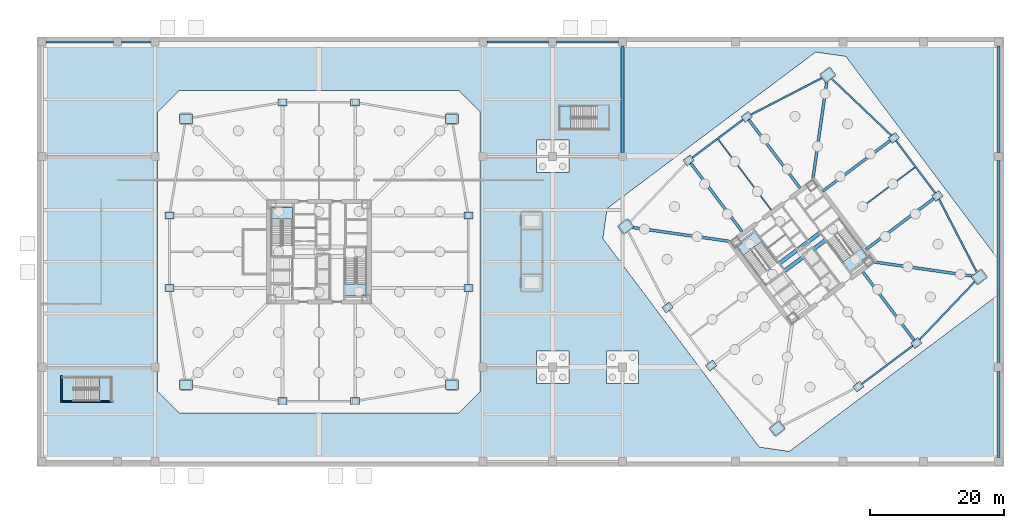
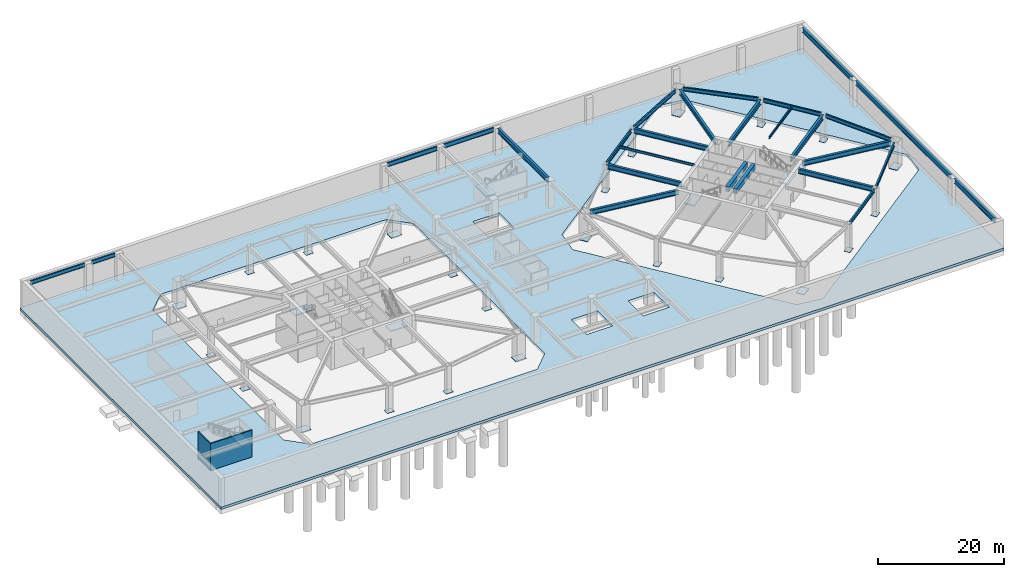
# One storey, part 7 of 19: 27 beams, 24 plates, 7 slabs, 2 walls, 6 elements without a shape of their own.
"""IFC4 building model written with IfcOpenShell, lengths in metres."""

from ifc_helpers import new_model, si_unit, direction, frame, frame_2d, origin, origin_2d, place, context, subcontext, project, spatial, polyline, rectangle, i_section, outline, extrude, material, layer, layer_set, material_profile, profile_set, type_object, element, aggregate, save


model = new_model("IFC4")

# Units and contexts
model_context = context("Model", 3, precision=1e-05, world=origin(), true_north=direction((0.0, 1.0)))
body_context = subcontext(model_context, "Body", "Model", "MODEL_VIEW")
ifc_project = project(units=[si_unit("LENGTHUNIT", "METRE"), si_unit("AREAUNIT", "SQUARE_METRE"), si_unit("VOLUMEUNIT", "CUBIC_METRE"), si_unit("PLANEANGLEUNIT", "RADIAN"), si_unit("MASSUNIT", "GRAM", prefix="KILO")], contexts=[model_context])

# Site, building, storey
site_placement = place(None, origin())
site = spatial("IfcSite", under=ifc_project, at=site_placement, CompositionType="ELEMENT")
building_placement = place(site_placement, origin())
building = spatial("IfcBuilding", under=site, at=building_placement, Name="Tashvorn Skyway Center", CompositionType="ELEMENT")
storey_placement = place(building_placement, frame((0.0, 0.0, -11.0)))
storey = spatial("IfcBuildingStorey", under=building, at=storey_placement, Name="B2", CompositionType="ELEMENT", Elevation=-11.0)

# Beams
ifc_material_1 = material(Name="Steel ASTM A992 Grade 50", Category="steel")
ifc_material_profile_1 = material_profile(ifc_material_1, i_section(OverallWidth=0.26708984375, OverallDepth=0.779052734375, WebThickness=0.0166015625, FlangeThickness=0.030029296875, at=origin_2d()), Name="W30X148")
ifc_profile_set_1 = profile_set([ifc_material_profile_1], Name="Steel ASTM A992 Grade 50")
beam_type_1 = type_object("IfcBeamType", Name="BM-BEAM-W30X148", PredefinedType="BEAM", material=ifc_profile_set_1)
beam_1_placement = place(storey_placement, frame((1.39501953125, 63.199951171875, 4.8505859375), z_axis=(1.0, 0.0, 0.0), x_axis=(0.0, 1.0, 0.0)))
element("IfcBeam", 1, at=beam_1_placement, inside=storey, type_object=beam_type_1, Name="B2 West Edge Girder A 09", PredefinedType="BEAM", context=body_context, shape_type="SweptSolid", body=[
    extrude(i_section(OverallWidth=0.26708984375, OverallDepth=0.779052734375, WebThickness=0.0166015625, FlangeThickness=0.030029296875, at=origin_2d()), origin(), (0.0, 0.0, 1.0), 10.010009765625),
])
beam_2_placement = place(storey_placement, frame((12.594970703125, 63.199951171875, 4.8505859375), z_axis=(1.0, 0.0, 0.0), x_axis=(0.0, 1.0, 0.0)))
element("IfcBeam", 2, at=beam_2_placement, inside=storey, type_object=beam_type_1, Name="B2 West Edge Girder B 09", PredefinedType="BEAM", context=body_context, shape_type="SweptSolid", body=[
    extrude(i_section(OverallWidth=0.26708984375, OverallDepth=0.779052734375, WebThickness=0.0166015625, FlangeThickness=0.030029296875, at=origin_2d()), origin(), (0.0, 0.0, 1.0), 4.409912109375),
])
ifc_material_profile_2 = material_profile(ifc_material_1, i_section(OverallWidth=0.2919921875, OverallDepth=0.85888671875, WebThickness=0.01708984375, FlangeThickness=0.031005859375, at=origin_2d()), Name="W33X169")
ifc_profile_set_2 = profile_set([ifc_material_profile_2], Name="Steel ASTM A992 Grade 50")
beam_type_2 = type_object("IfcBeamType", Name="BM-BEAM-W33X169", PredefinedType="BEAM", material=ifc_profile_set_2)
for number, where, z_axis, x_axis, name in (
    (3, (66.9951171875, 63.199951171875, 4.810546875), (1.0, 0.0, 0.0), (0.0, 1.0, 0.0), "B2 Central Podium Girder A 09"),
    (4, (77.39501953125, 63.199951171875, 4.810546875), (1.0, 0.0, 0.0), (0.0, 1.0, 0.0), "B2 Central Podium Girder B 09"),
):
    element("IfcBeam", number, at=place(storey_placement, frame(where, z_axis=z_axis, x_axis=x_axis)), inside=storey, type_object=beam_type_2, Name=name, PredefinedType="BEAM", context=body_context, shape_type="SweptSolid", body=[
        extrude(i_section(OverallWidth=0.2919921875, OverallDepth=0.85888671875, WebThickness=0.01708984375, FlangeThickness=0.031005859375, at=origin_2d()), origin(), (0.0, 0.0, 1.0), 9.2099609375),
    ])
ifc_material_2 = material(Name="Steel ASTM A913 Grade 65", Category="steel")
ifc_material_profile_3 = material_profile(ifc_material_2, i_section(OverallWidth=0.4189453125, OverallDepth=0.927001953125, WebThickness=0.019287109375, FlangeThickness=0.031982421875, at=origin_2d()), Name="W36X231")
ifc_profile_set_3 = profile_set([ifc_material_profile_3], Name="Steel ASTM A913 Grade 65")
beam_type_3 = type_object("IfcBeamType", Name="BM-BEAM-W36X231", PredefinedType="BEAM", material=ifc_profile_set_3)
for number, where, z_axis, x_axis, name in (
    (5, (139.532958984375, 28.3525390625, 4.776611328125), (-0.989950458816, 0.141414599991, 0.0), (-0.141414599991, -0.989950458816, 0.0), "Tower 2 B2 Primary Floor Girder MC-SE"),
    (6, (117.6474609375, 57.532958984375, 4.776611328125), (-0.141414599991, -0.989950458816, 0.0), (0.989950458816, -0.141414599991, 0.0), "Tower 2 B2 Primary Floor Girder MC-NE"),
    (7, (88.467041015625, 35.6474609375, 4.776611328125), (0.989950458816, -0.141414599991, 0.0), (0.141414599991, 0.989950458816, 0.0), "Tower 2 B2 Primary Floor Girder MC-NW"),
):
    element("IfcBeam", number, at=place(storey_placement, frame(where, z_axis=z_axis, x_axis=x_axis)), inside=storey, type_object=beam_type_3, Name=name, PredefinedType="BEAM", context=body_context, shape_type="SweptSolid", body=[
        extrude(i_section(OverallWidth=0.4189453125, OverallDepth=0.927001953125, WebThickness=0.019287109375, FlangeThickness=0.031982421875, at=origin_2d()), origin(), (0.0, 0.0, 1.0), 15.177001953125),
    ])
beam_3_placement = place(storey_placement, frame((130.697998046875, 18.736083984375, 4.776611328125), z_axis=(-0.599996960112, 0.800002279907, 0.0), x_axis=(-0.800002279907, -0.599996960112, 0.0)))
element("IfcBeam", 8, at=beam_3_placement, inside=storey, type_object=beam_type_3, Name="Tower 2 B2 Primary Floor Girder FC-S2", PredefinedType="BEAM", context=body_context, shape_type="SweptSolid", body=[
    extrude(i_section(OverallWidth=0.4189453125, OverallDepth=0.927001953125, WebThickness=0.019287109375, FlangeThickness=0.031982421875, at=origin_2d()), origin(), (0.0, 0.0, 1.0), 12.85009765625),
])
beam_4_placement = place(storey_placement, frame((133.743896484375, 40.05810546875, 4.776611328125), z_axis=(-0.799986320265, -0.600018239213, 0.0), x_axis=(0.600018239213, -0.799986320265, 0.0)))
element("IfcBeam", 9, at=beam_4_placement, inside=storey, type_object=beam_type_3, Name="Tower 2 B2 Primary Floor Girder FC-E1", PredefinedType="BEAM", context=body_context, shape_type="SweptSolid", body=[
    extrude(i_section(OverallWidth=0.4189453125, OverallDepth=0.927001953125, WebThickness=0.019287109375, FlangeThickness=0.031982421875, at=origin_2d()), origin(), (0.0, 0.0, 1.0), 12.849853515625),
])
beam_5_placement = place(storey_placement, frame((127.263916015625, 48.697998046875, 4.776611328125), z_axis=(-0.800002279907, -0.599996960112, 0.0), x_axis=(0.599996960112, -0.800002279907, 0.0)))
element("IfcBeam", 10, at=beam_5_placement, inside=storey, type_object=beam_type_3, Name="Tower 2 B2 Primary Floor Girder FC-E2", PredefinedType="BEAM", context=body_context, shape_type="SweptSolid", body=[
    extrude(i_section(OverallWidth=0.4189453125, OverallDepth=0.927001953125, WebThickness=0.019287109375, FlangeThickness=0.031982421875, at=origin_2d()), origin(), (0.0, 0.0, 1.0), 12.85009765625),
])
beam_6_placement = place(storey_placement, frame((105.94189453125, 51.743896484375, 4.776611328125), z_axis=(0.600018239213, -0.799986320265, 0.0), x_axis=(0.799986320265, 0.600018239213, 0.0)))
element("IfcBeam", 11, at=beam_6_placement, inside=storey, type_object=beam_type_3, Name="Tower 2 B2 Primary Floor Girder FC-N1", PredefinedType="BEAM", context=body_context, shape_type="SweptSolid", body=[
    extrude(i_section(OverallWidth=0.4189453125, OverallDepth=0.927001953125, WebThickness=0.019287109375, FlangeThickness=0.031982421875, at=origin_2d()), origin(), (0.0, 0.0, 1.0), 12.849853515625),
])
beam_7_placement = place(storey_placement, frame((97.302001953125, 45.263916015625, 4.776611328125), z_axis=(0.599996960112, -0.800002279907, 0.0), x_axis=(0.800002279907, 0.599996960112, 0.0)))
element("IfcBeam", 12, at=beam_7_placement, inside=storey, type_object=beam_type_3, Name="Tower 2 B2 Primary Floor Girder FC-N2", PredefinedType="BEAM", context=body_context, shape_type="SweptSolid", body=[
    extrude(i_section(OverallWidth=0.4189453125, OverallDepth=0.927001953125, WebThickness=0.019287109375, FlangeThickness=0.031982421875, at=origin_2d()), origin(), (0.0, 0.0, 1.0), 12.85009765625),
])
beam_8_placement = place(storey_placement, frame((87.199951171875, 46.794921875, 4.776611328125), z_axis=(0.0, 1.0, 0.0), x_axis=(-1.0, 0.0, 0.0)))
element("IfcBeam", 13, at=beam_8_placement, inside=storey, type_object=beam_type_3, Name="B2 North-South Podium Girder 05-N", PredefinedType="BEAM", context=body_context, shape_type="SweptSolid", body=[
    extrude(i_section(OverallWidth=0.4189453125, OverallDepth=0.927001953125, WebThickness=0.019287109375, FlangeThickness=0.031982421875, at=origin_2d()), origin(), (0.0, 0.0, 1.0), 15.81005859375),
])
beam_9_placement = place(storey_placement, frame((143.199951171875, 1.39501953125, 4.776611328125), z_axis=(0.0, 1.0, 0.0), x_axis=(-1.0, 0.0, 0.0)))
element("IfcBeam", 14, at=beam_9_placement, inside=storey, type_object=beam_type_3, Name="B2 North-South Podium Girder 06-S", PredefinedType="BEAM", context=body_context, shape_type="SweptSolid", body=[
    extrude(i_section(OverallWidth=0.4189453125, OverallDepth=0.927001953125, WebThickness=0.019287109375, FlangeThickness=0.031982421875, at=origin_2d()), origin(), (0.0, 0.0, 1.0), 12.81005859375),
])
beam_10_placement = place(storey_placement, frame((143.199951171875, 15.39501953125, 4.776611328125), z_axis=(0.0, 1.0, 0.0), x_axis=(-1.0, 0.0, 0.0)))
element("IfcBeam", 15, at=beam_10_placement, inside=storey, type_object=beam_type_3, Name="B2 North-South Podium Girder 06-M", PredefinedType="BEAM", context=body_context, shape_type="SweptSolid", body=[
    extrude(i_section(OverallWidth=0.4189453125, OverallDepth=0.927001953125, WebThickness=0.019287109375, FlangeThickness=0.031982421875, at=origin_2d()), origin(), (0.0, 0.0, 1.0), 30.2099609375),
])
beam_11_placement = place(storey_placement, frame((143.199951171875, 46.794921875, 4.776611328125), z_axis=(0.0, 1.0, 0.0), x_axis=(-1.0, 0.0, 0.0)))
element("IfcBeam", 16, at=beam_11_placement, inside=storey, type_object=beam_type_3, Name="B2 North-South Podium Girder 06-N", PredefinedType="BEAM", context=body_context, shape_type="SweptSolid", body=[
    extrude(i_section(OverallWidth=0.4189453125, OverallDepth=0.927001953125, WebThickness=0.019287109375, FlangeThickness=0.031982421875, at=origin_2d()), origin(), (0.0, 0.0, 1.0), 15.81005859375),
])
ifc_material_profile_4 = material_profile(ifc_material_1, i_section(OverallWidth=0.19091796875, OverallDepth=0.4599609375, WebThickness=0.010009765625, FlangeThickness=0.01611328125, at=origin_2d()), Name="W18X55")
ifc_profile_set_4 = profile_set([ifc_material_profile_4], Name="Steel ASTM A992 Grade 50")
beam_type_4 = type_object("IfcBeamType", Name="BM-JOIST-W18X55", PredefinedType="JOIST", material=ifc_profile_set_4)
beam_12_placement = place(storey_placement, frame((109.325927734375, 38.23193359375, 5.010009765625), z_axis=(-0.600002972791, 0.799997770398, 0.0), x_axis=(-0.799997770398, -0.600002972791, 0.0)))
element("IfcBeam", 17, at=beam_12_placement, inside=storey, type_object=beam_type_4, Name="Tower 2 B2 Secondary Composite Joist JN", PredefinedType="JOIST", context=body_context, shape_type="SweptSolid", body=[
    extrude(i_section(OverallWidth=0.19091796875, OverallDepth=0.4599609375, WebThickness=0.010009765625, FlangeThickness=0.01611328125, at=origin_2d()), origin(), (0.0, 0.0, 1.0), 13.139892578125),
])
beam_13_placement = place(storey_placement, frame((123.3359375, 39.001953125, 5.010009765625), z_axis=(0.799990508532, 0.600012655082, 0.0), x_axis=(-0.600012655082, 0.799990508532, 0.0)))
element("IfcBeam", 18, at=beam_13_placement, inside=storey, type_object=beam_type_4, Name="Tower 2 B2 Secondary Composite Joist JE", PredefinedType="JOIST", context=body_context, shape_type="SweptSolid", body=[
    extrude(i_section(OverallWidth=0.19091796875, OverallDepth=0.4599609375, WebThickness=0.010009765625, FlangeThickness=0.01611328125, at=origin_2d()), origin(), (0.0, 0.0, 1.0), 9.260009765625),
])
ifc_material_3 = material(Name="Concrete C60/75", Category="concrete")
ifc_material_profile_5 = material_profile(ifc_material_3, rectangle(XDim=0.60009765625, YDim=0.949951171875, at=origin_2d()), Name="RCB600x950")
ifc_profile_set_5 = profile_set([ifc_material_profile_5], Name="Concrete C60/75")
beam_type_5 = type_object("IfcBeamType", Name="BM-LINTEL-RCB600x950", PredefinedType="LINTEL", material=ifc_profile_set_5)
for number, where, z_axis, x_axis, name in (
    (19, (110.552001953125, 30.263916015625, 4.764892578125), (0.8, 0.6, 0.0), (-0.6, 0.8, 0.0), "Tower 2 B2 Core Coupling Beam CN"),
    (20, (111.367919921875, 29.176025390625, 4.764892578125), (0.8, 0.6, 0.0), (-0.6, 0.8, 0.0), "Tower 2 B2 Core Coupling Beam CS"),
):
    element("IfcBeam", number, at=place(storey_placement, frame(where, z_axis=z_axis, x_axis=x_axis)), inside=storey, type_object=beam_type_5, Name=name, PredefinedType="LINTEL", context=body_context, shape_type="SweptSolid", body=[
        extrude(rectangle(XDim=0.60009765625, YDim=0.949951171875, at=origin_2d()), origin(), (0.0, 0.0, 1.0), 7.60009765625),
    ])
ifc_material_profile_6 = material_profile(ifc_material_1, i_section(OverallWidth=0.256103515625, OverallDepth=0.693115234375, WebThickness=0.014404296875, FlangeThickness=0.023681640625, at=origin_2d()), Name="W27X114")
ifc_profile_set_6 = profile_set([ifc_material_profile_6], Name="Steel ASTM A992 Grade 50")
beam_type_6 = type_object("IfcBeamType", Name="BM-SPANDREL-W27X114", PredefinedType="SPANDREL", material=ifc_profile_set_6)
beam_14_placement = place(storey_placement, frame((122.64599609375, 12.172119140625, 4.8935546875), z_axis=(0.800008824351, 0.599988234018, 0.0), x_axis=(-0.599988234018, 0.800008824351, 0.0)))
element("IfcBeam", 21, at=beam_14_placement, inside=storey, type_object=beam_type_6, Name="Tower 2 B2 Spandrel Beam 02", PredefinedType="SPANDREL", context=body_context, shape_type="SweptSolid", body=[
    extrude(i_section(OverallWidth=0.256103515625, OverallDepth=0.693115234375, WebThickness=0.014404296875, FlangeThickness=0.023681640625, at=origin_2d()), origin(), (0.0, 0.0, 1.0), 9.9599609375),
])
for number, where, z_axis, x_axis, name in (
    (22, (131.23974609375, 18.7041015625, 4.8935546875), (0.689589637236, 0.724200339835, 0.0), (-0.724200339835, 0.689589637236, 0.0), "Tower 2 B2 Spandrel Beam 03"),
    (23, (139.954833984375, 28.9462890625, 4.8935546875), (-0.459233413919, 0.888315637339, 0.0), (-0.888315637339, -0.459233413919, 0.0), "Tower 2 B2 Spandrel Beam 04"),
):
    element("IfcBeam", number, at=place(storey_placement, frame(where, z_axis=z_axis, x_axis=x_axis)), inside=storey, type_object=beam_type_6, Name=name, PredefinedType="SPANDREL", context=body_context, shape_type="SweptSolid", body=[
        extrude(i_section(OverallWidth=0.256103515625, OverallDepth=0.693115234375, WebThickness=0.014404296875, FlangeThickness=0.023681640625, at=origin_2d()), origin(), (0.0, 0.0, 1.0), 12.37255859375),
    ])
beam_15_placement = place(storey_placement, frame((133.827880859375, 40.64599609375, 4.8935546875), z_axis=(-0.599988234018, 0.800008824351, 0.0), x_axis=(-0.800008824351, -0.599988234018, 0.0)))
element("IfcBeam", 24, at=beam_15_placement, inside=storey, type_object=beam_type_6, Name="Tower 2 B2 Spandrel Beam 05", PredefinedType="SPANDREL", context=body_context, shape_type="SweptSolid", body=[
    extrude(i_section(OverallWidth=0.256103515625, OverallDepth=0.693115234375, WebThickness=0.014404296875, FlangeThickness=0.023681640625, at=origin_2d()), origin(), (0.0, 0.0, 1.0), 9.9599609375),
])
for number, where, z_axis, x_axis, name in (
    (25, (127.2958984375, 49.23974609375, 4.8935546875), (-0.724200339835, 0.689589637236, 0.0), (-0.689589637236, -0.724200339835, 0.0), "Tower 2 B2 Spandrel Beam 06"),
    (26, (117.0537109375, 57.954833984375, 4.8935546875), (-0.888315637339, -0.459233413919, 0.0), (0.459233413919, -0.888315637339, 0.0), "Tower 2 B2 Spandrel Beam 07"),
):
    element("IfcBeam", number, at=place(storey_placement, frame(where, z_axis=z_axis, x_axis=x_axis)), inside=storey, type_object=beam_type_6, Name=name, PredefinedType="SPANDREL", context=body_context, shape_type="SweptSolid", body=[
        extrude(i_section(OverallWidth=0.256103515625, OverallDepth=0.693115234375, WebThickness=0.014404296875, FlangeThickness=0.023681640625, at=origin_2d()), origin(), (0.0, 0.0, 1.0), 12.37255859375),
    ])
beam_16_placement = place(storey_placement, frame((105.35400390625, 51.827880859375, 4.8935546875), z_axis=(-0.800008824351, -0.599988234018, 0.0), x_axis=(0.599988234018, -0.800008824351, 0.0)))
element("IfcBeam", 27, at=beam_16_placement, inside=storey, type_object=beam_type_6, Name="Tower 2 B2 Spandrel Beam 08", PredefinedType="SPANDREL", context=body_context, shape_type="SweptSolid", body=[
    extrude(i_section(OverallWidth=0.256103515625, OverallDepth=0.693115234375, WebThickness=0.014404296875, FlangeThickness=0.023681640625, at=origin_2d()), origin(), (0.0, 0.0, 1.0), 9.9599609375),
])

# Plates
ifc_material_4 = material(Name="Steel ASTM A572 Grade 50", Category="steel")
ifc_layer_1 = layer(ifc_material_4, 0.06494140625)
ifc_layer_set_1 = layer_set([ifc_layer_1], Name="Steel ASTM A572 Grade 50")
plate_type_1 = type_object("IfcPlateType", Name="PLT-BASE-65", PredefinedType="SHEET", material=ifc_layer_set_1)
for number, where, z_axis, x_axis, name in (
    (28, (22.199951171875, 12.199951171875, 0.0), (0.0, 0.0, 1.0), (1.0, 0.0, 0.0), "Tower 1 MC-SW Base Plate"),
    (29, (61.800048828125, 12.199951171875, 0.0), (0.0, 0.0, 1.0), (1.0, 0.0, 0.0), "Tower 1 MC-SE Base Plate"),
    (30, (61.800048828125, 51.800048828125, 0.0), (0.0, 0.0, 1.0), (1.0, 0.0, 0.0), "Tower 1 MC-NE Base Plate"),
    (31, (22.199951171875, 51.800048828125, 0.0), (0.0, 0.0, 1.0), (1.0, 0.0, 0.0), "Tower 1 MC-NW Base Plate"),
    (32, (110.239990234375, 5.679931640625, 0.0), (0.0, 0.0, 1.0), (0.799999996291, 0.600000004945, 0.0), "Tower 2 MC-SW Base Plate"),
    (33, (140.320068359375, 28.239990234375, 0.0), (0.0, 0.0, 1.0), (0.799999996291, 0.600000004945, 0.0), "Tower 2 MC-SE Base Plate"),
    (34, (117.760009765625, 58.320068359375, 0.0), (0.0, 0.0, 1.0), (0.799999996291, 0.600000004945, 0.0), "Tower 2 MC-NE Base Plate"),
    (35, (87.679931640625, 35.760009765625, 0.0), (0.0, 0.0, 1.0), (0.799999996291, 0.600000004945, 0.0), "Tower 2 MC-NW Base Plate"),
):
    element("IfcPlate", number, at=place(storey_placement, frame(where, z_axis=z_axis, x_axis=x_axis)), inside=storey, type_object=plate_type_1, Name=name, PredefinedType="SHEET", context=body_context, shape_type="SweptSolid", body=[
        extrude(rectangle(XDim=1.949951171875, YDim=1.449951171875, at=origin_2d()), origin(), (0.0, 0.0, 1.0), 0.06494140625),
    ])
ifc_layer_2 = layer(ifc_material_4, 0.050048828125)
ifc_layer_set_2 = layer_set([ifc_layer_2], Name="Steel ASTM A572 Grade 50")
plate_type_2 = type_object("IfcPlateType", Name="PLT-ENDCAP-900", PredefinedType="USERDEFINED", material=ifc_layer_set_2)
for number, where, z_axis, x_axis, name in (
    (36, (36.60009765625, 9.75, -0.0400390625), (0.0, 0.0, 1.0), (1.0, 0.0, 0.0), "Tower 1 B2 FC-S1 Base End Plate"),
    (37, (47.39990234375, 9.75, -0.0400390625), (0.0, 0.0, 1.0), (1.0, 0.0, 0.0), "Tower 1 B2 FC-S2 Base End Plate"),
    (38, (64.25, 26.60009765625, -0.0400390625), (0.0, 0.0, 1.0), (1.0, 0.0, 0.0), "Tower 1 B2 FC-E1 Base End Plate"),
    (39, (64.25, 37.39990234375, -0.0400390625), (0.0, 0.0, 1.0), (1.0, 0.0, 0.0), "Tower 1 B2 FC-E2 Base End Plate"),
    (40, (47.39990234375, 54.25, -0.0400390625), (0.0, 0.0, 1.0), (1.0, 0.0, 0.0), "Tower 1 B2 FC-N1 Base End Plate"),
    (41, (36.60009765625, 54.25, -0.0400390625), (0.0, 0.0, 1.0), (1.0, 0.0, 0.0), "Tower 1 B2 FC-N2 Base End Plate"),
    (42, (19.75, 37.39990234375, -0.0400390625), (0.0, 0.0, 1.0), (1.0, 0.0, 0.0), "Tower 1 B2 FC-W1 Base End Plate"),
    (43, (19.75, 26.60009765625, -0.0400390625), (0.0, 0.0, 1.0), (1.0, 0.0, 0.0), "Tower 1 B2 FC-W2 Base End Plate"),
    (44, (122.31005859375, 11.919921875, -0.0400390625), (0.0, 0.0, 1.0), (0.799999996291, 0.600000004945, 0.0), "Tower 2 B2 FC-S1 Base End Plate"),
    (45, (130.949951171875, 18.39990234375, -0.0400390625), (0.0, 0.0, 1.0), (0.799999996291, 0.600000004945, 0.0), "Tower 2 B2 FC-S2 Base End Plate"),
    (46, (134.080078125, 40.31005859375, -0.0400390625), (0.0, 0.0, 1.0), (0.799999996291, 0.600000004945, 0.0), "Tower 2 B2 FC-E1 Base End Plate"),
    (47, (127.60009765625, 48.949951171875, -0.0400390625), (0.0, 0.0, 1.0), (0.799999996291, 0.600000004945, 0.0), "Tower 2 B2 FC-E2 Base End Plate"),
    (48, (105.68994140625, 52.080078125, -0.0400390625), (0.0, 0.0, 1.0), (0.799999996291, 0.600000004945, 0.0), "Tower 2 B2 FC-N1 Base End Plate"),
    (49, (97.050048828125, 45.60009765625, -0.0400390625), (0.0, 0.0, 1.0), (0.799999996291, 0.600000004945, 0.0), "Tower 2 B2 FC-N2 Base End Plate"),
    (50, (93.919921875, 23.68994140625, -0.0400390625), (0.0, 0.0, 1.0), (0.799999996291, 0.600000004945, 0.0), "Tower 2 B2 FC-W1 Base End Plate"),
    (51, (100.39990234375, 15.050048828125, -0.0400390625), (0.0, 0.0, 1.0), (0.799999996291, 0.600000004945, 0.0), "Tower 2 B2 FC-W2 Base End Plate"),
):
    element("IfcPlate", number, at=place(storey_placement, frame(where, z_axis=z_axis, x_axis=x_axis)), inside=storey, type_object=plate_type_2, Name=name, ObjectType="END PLATE", PredefinedType="USERDEFINED", context=body_context, shape_type="SweptSolid", body=[
        extrude(rectangle(XDim=1.35009765625, YDim=1.050048828125, at=origin_2d()), origin(), (0.0, 0.0, 1.0), 0.050048828125),
    ])

# Slab
ifc_material_5 = material(Name="Concrete C50/60", Category="concrete")
ifc_layer_3 = layer(ifc_material_5, 0.5)
ifc_layer_set_3 = layer_set([ifc_layer_3], Name="Concrete C50/60")
slab_type_1 = type_object("IfcSlabType", Name="SLAB-BASE-500", PredefinedType="BASESLAB", material=ifc_layer_set_3)
slab_1_placement = place(storey_placement, frame((0.0, 0.0, -0.5)))
element("IfcSlab", 52, at=slab_1_placement, inside=storey, type_object=slab_type_1, Name="B2 Transit Station Structural Base Slab", PredefinedType="BASESLAB", context=body_context, shape_type="SweptSolid", body=[
    extrude(outline(polyline([(0.0, 0.0), (144.0, 0.0), (144.0, 64.0), (0.0, 64.0), (0.0, 0.0)]), holes=[polyline([(21.199951171875, 8.0), (62.800048828125, 8.0), (66.0, 11.199951171875), (66.0, 52.800048828125), (62.800048828125, 56.0), (21.199951171875, 56.0), (18.0, 52.800048828125), (18.0, 11.199951171875), (21.199951171875, 8.0)]), polyline([(112.0400390625, 2.280029296875), (143.080078125, 25.56005859375), (143.719970703125, 30.0400390625), (120.43994140625, 61.080078125), (115.9599609375, 61.719970703125), (84.919921875, 38.43994140625), (84.280029296875, 33.9599609375), (107.56005859375, 2.919921875), (112.0400390625, 2.280029296875)]), polyline([(74.39990234375, 12.39990234375), (79.199951171875, 12.39990234375), (79.199951171875, 17.199951171875), (74.39990234375, 17.199951171875), (74.39990234375, 12.39990234375)]), polyline([(74.39990234375, 43.800048828125), (79.199951171875, 43.800048828125), (79.199951171875, 48.60009765625), (74.39990234375, 48.60009765625), (74.39990234375, 43.800048828125)]), polyline([(84.800048828125, 12.39990234375), (89.60009765625, 12.39990234375), (89.60009765625, 17.199951171875), (84.800048828125, 17.199951171875), (84.800048828125, 12.39990234375)])]), origin(), (0.0, 0.0, 1.0), 0.5),
])

# Stair, slab
ifc_material_6 = material(Name="Concrete C40/50", Category="concrete")
stair_type_1 = type_object("IfcStairType", Name="STAIR-CORE-1500", PredefinedType="HALF_TURN_STAIR", material=ifc_material_6)
stair_1_placement = place(storey_placement, origin())
stair_1 = element("IfcStair", 53, at=stair_1_placement, inside=storey, type_object=stair_type_1, Name="B2 Tower 1 Exit Stair 1", PredefinedType="HALF_TURN_STAIR")
ifc_layer_4 = layer(ifc_material_6, 0.199951171875)
ifc_layer_set_4 = layer_set([ifc_layer_4], Name="Concrete C40/50")
slab_type_2 = type_object("IfcSlabType", Name="SLAB-LAND-200", PredefinedType="LANDING", material=ifc_layer_set_4)
slab_2_placement = place(storey_placement, frame((0.0, 0.0, 2.550048828125)))
slab_2 = element("IfcSlab", 54, at=slab_2_placement, type_object=slab_type_2, Name="ST-T1-1 landing 1", PredefinedType="LANDING", context=body_context, shape_type="SweptSolid", body=[
    extrude(outline(polyline([(38.10009765625, 36.840087890625), (38.10009765625, 38.60009765625), (34.89990234375, 38.60009765625), (34.89990234375, 36.840087890625), (38.10009765625, 36.840087890625)])), origin(), (0.0, 0.0, 1.0), 0.199951171875),
])
aggregate(stair_1, [slab_2])

stair_2_placement = place(storey_placement, origin())
stair_2 = element("IfcStair", 55, at=stair_2_placement, inside=storey, type_object=stair_type_1, Name="B2 Tower 1 Exit Stair 2", PredefinedType="HALF_TURN_STAIR")
slab_3_placement = place(storey_placement, frame((0.0, 0.0, 2.550048828125)))
slab_3 = element("IfcSlab", 56, at=slab_3_placement, type_object=slab_type_2, Name="ST-T1-2 landing 1", PredefinedType="LANDING", context=body_context, shape_type="SweptSolid", body=[
    extrude(outline(polyline([(45.89990234375, 27.159912109375), (45.89990234375, 25.39990234375), (49.10009765625, 25.39990234375), (49.10009765625, 27.159912109375), (45.89990234375, 27.159912109375)])), origin(), (0.0, 0.0, 1.0), 0.199951171875),
])
aggregate(stair_2, [slab_3])

stair_3_placement = place(storey_placement, origin())
stair_3 = element("IfcStair", 57, at=stair_3_placement, inside=storey, type_object=stair_type_1, Name="B2 Tower 2 Exit Stair 1", PredefinedType="HALF_TURN_STAIR")
slab_4_placement = place(storey_placement, frame((0.0, 0.0, 2.550048828125)))
slab_4 = element("IfcSlab", 58, at=slab_4_placement, type_object=slab_type_2, Name="ST-T2-1 landing 1", PredefinedType="LANDING", context=body_context, shape_type="SweptSolid", body=[
    extrude(outline(polyline([(107.980712890625, 33.525634765625), (106.919921875, 34.93994140625), (104.135986328125, 32.85205078125), (105.19677734375, 31.4375), (107.980712890625, 33.525634765625)])), origin(), (0.0, 0.0, 1.0), 0.199951171875),
])
aggregate(stair_3, [slab_4])

stair_4_placement = place(storey_placement, origin())
stair_4 = element("IfcStair", 59, at=stair_4_placement, inside=storey, type_object=stair_type_1, Name="B2 Tower 2 Exit Stair 2", PredefinedType="HALF_TURN_STAIR")
slab_5_placement = place(storey_placement, frame((0.0, 0.0, 2.550048828125)))
slab_5 = element("IfcSlab", 60, at=slab_5_placement, type_object=slab_type_2, Name="ST-T2-2 landing 1", PredefinedType="LANDING", context=body_context, shape_type="SweptSolid", body=[
    extrude(outline(polyline([(120.019287109375, 30.474365234375), (121.080078125, 29.06005859375), (123.864013671875, 31.14794921875), (122.80322265625, 32.5625), (120.019287109375, 30.474365234375)])), origin(), (0.0, 0.0, 1.0), 0.199951171875),
])
aggregate(stair_4, [slab_5])

stair_type_2 = type_object("IfcStairType", Name="STAIR-POD-1650", PredefinedType="HALF_TURN_STAIR", material=ifc_material_6)
stair_5_placement = place(storey_placement, origin())
stair_5 = element("IfcStair", 61, at=stair_5_placement, inside=storey, type_object=stair_type_2, Name="B2 Podium West Exit Stair 1", PredefinedType="HALF_TURN_STAIR")
slab_6_placement = place(storey_placement, frame((0.0, 0.0, 2.550048828125)))
slab_6 = element("IfcSlab", 62, at=slab_6_placement, type_object=slab_type_2, Name="ST-POD-1 landing 1", PredefinedType="LANDING", context=body_context, shape_type="SweptSolid", body=[
    extrude(outline(polyline([(9.3701171875, 9.800048828125), (11.10009765625, 9.800048828125), (11.10009765625, 13.300048828125), (9.3701171875, 13.300048828125), (9.3701171875, 9.800048828125)])), origin(), (0.0, 0.0, 1.0), 0.199951171875),
])
aggregate(stair_5, [slab_6])

stair_6_placement = place(storey_placement, origin())
stair_6 = element("IfcStair", 63, at=stair_6_placement, inside=storey, type_object=stair_type_2, Name="B2 Podium East Exit Stair 2", PredefinedType="HALF_TURN_STAIR")
slab_7_placement = place(storey_placement, frame((0.0, 0.0, 2.550048828125)))
slab_7 = element("IfcSlab", 64, at=slab_7_placement, type_object=slab_type_2, Name="ST-POD-2 landing 1", PredefinedType="LANDING", context=body_context, shape_type="SweptSolid", body=[
    extrude(outline(polyline([(79.530029296875, 53.699951171875), (77.800048828125, 53.699951171875), (77.800048828125, 50.199951171875), (79.530029296875, 50.199951171875), (79.530029296875, 53.699951171875)])), origin(), (0.0, 0.0, 1.0), 0.199951171875),
])
aggregate(stair_6, [slab_7])

# Walls
ifc_layer_5 = layer(ifc_material_6, 0.199951171875)
ifc_layer_set_5 = layer_set([ifc_layer_5], Name="Concrete C40/50")
wall_type = type_object("IfcWallType", Name="WALL-STSHF-200", PredefinedType="SHEAR", material=ifc_layer_set_5)
wall_1_placement = place(storey_placement, frame((3.60009765625, 9.699951171875, 0.0), z_axis=(0.0, 0.0, 1.0), x_axis=(1.0, 0.0, 0.0)))
element("IfcWall", 65, at=wall_1_placement, inside=storey, type_object=wall_type, Name="B2 Podium Stair 1 South Wall", PredefinedType="SHEAR", context=body_context, shape_type="SweptSolid", body=[
    extrude(rectangle(XDim=7.699951171875, YDim=0.199951171875, at=frame_2d((3.85009765625, 0.0))), origin(), (0.0, 0.0, 1.0), 5.239990234375),
])
wall_2_placement = place(storey_placement, frame((3.699951171875, 9.60009765625, 0.0), z_axis=(0.0, 0.0, 1.0), x_axis=(0.0, 1.0, 0.0)))
element("IfcWall", 66, at=wall_2_placement, inside=storey, type_object=wall_type, Name="B2 Podium Stair 1 West Wall", PredefinedType="SHEAR", context=body_context, shape_type="SweptSolid", body=[
    extrude(rectangle(XDim=3.89990234375, YDim=0.199951171875, at=frame_2d((1.949951171875, 0.0))), origin(), (0.0, 0.0, 1.0), 5.239990234375),
])

save(model, "model.ifc")
